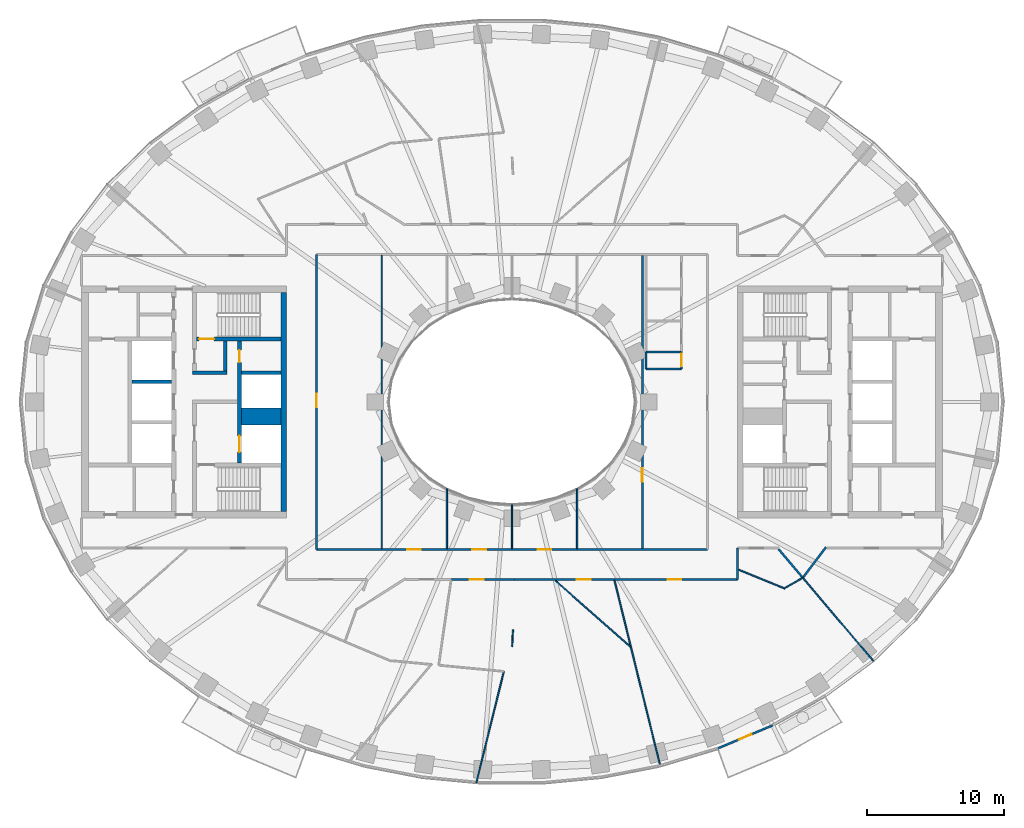
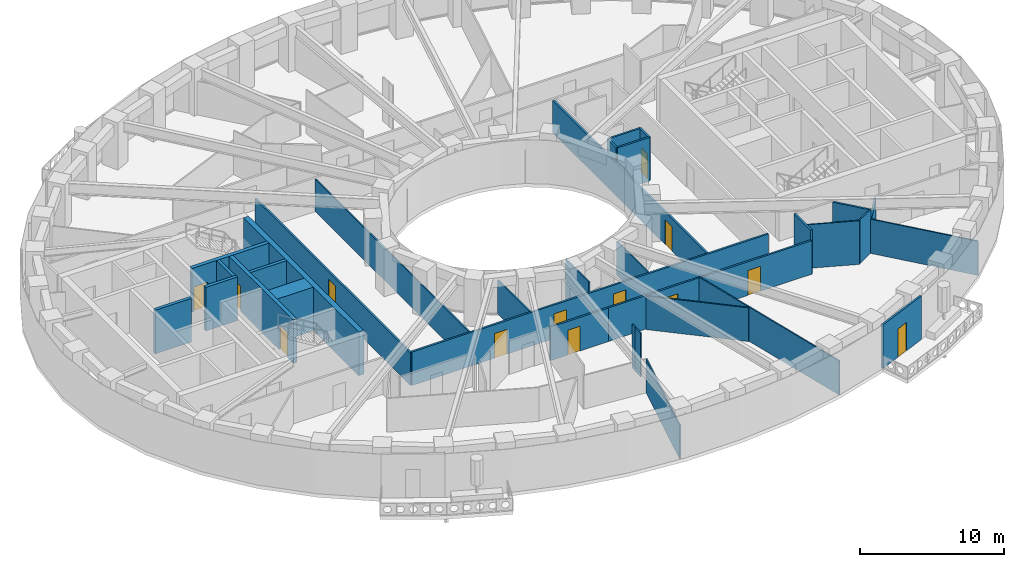
# One storey, part 4 of 15: 34 walls, 13 doors, 13 openings.
"""IFC4 building model written with IfcOpenShell, lengths in metres."""

from ifc_helpers import new_model, si_unit, direction, frame, frame_2d, origin, place, context, subcontext, project, spatial, rectangle, extrude, material, layer, layer_set, type_object, element, fill, save


model = new_model("IFC4")

# Units and contexts
model_context = context("Model", 3, precision=1e-05, world=origin(), true_north=direction((0.0, 1.0)))
body_context = subcontext(model_context, "Body", "Model", "MODEL_VIEW")
ifc_project = project(units=[si_unit("LENGTHUNIT", "METRE"), si_unit("AREAUNIT", "SQUARE_METRE"), si_unit("VOLUMEUNIT", "CUBIC_METRE"), si_unit("PLANEANGLEUNIT", "RADIAN"), si_unit("MASSUNIT", "GRAM", prefix="KILO")], contexts=[model_context])

# Site, building, storey
site_placement = place(None, origin())
site = spatial("IfcSite", under=ifc_project, at=site_placement, CompositionType="ELEMENT")
building_placement = place(site_placement, origin())
building = spatial("IfcBuilding", under=site, at=building_placement, Name="Noorbagh Ring Tower", CompositionType="ELEMENT")
storey_placement = place(building_placement, frame((0.0, 0.0, 92.0)))
storey = spatial("IfcBuildingStorey", under=building, at=storey_placement, Name="L20", CompositionType="ELEMENT", Elevation=92.0)

# Walls
ifc_material_1 = material(Name="Gypsum board on steel studs", Category="steel")
ifc_layer_1 = layer(ifc_material_1, 0.14990234375)
ifc_layer_set_1 = layer_set([ifc_layer_1], Name="Gypsum board on steel studs")
wall_type_1 = type_object("IfcWallType", Name="COMPARTMENT PARTITION 150 EI 60", PredefinedType="PARTITIONING", material=ifc_layer_set_1)
wall_1_placement = place(storey_placement, frame((9.800048828125, 2.404052734375, 0.0), z_axis=(0.0, 0.0, 1.0), x_axis=(0.0, 1.0, 0.0)))
element("IfcWall", 1, at=wall_1_placement, inside=storey, type_object=wall_type_1, Name="L20/wall/P61", PredefinedType="PARTITIONING", context=body_context, shape_type="SweptSolid", body=[
    extrude(rectangle(XDim=1.255859375, YDim=0.14990234375, at=frame_2d((0.6279296875, 0.0))), origin(), (0.0, 0.0, 1.0), 3.699951171875),
])
wall_2_placement = place(storey_placement, frame((9.800048828125, 3.659912109375, 0.0), z_axis=(0.0, 0.0, 1.0), x_axis=(1.0, 0.0, 0.0)))
element("IfcWall", 2, at=wall_2_placement, inside=storey, type_object=wall_type_1, Name="L20/wall/P63", PredefinedType="PARTITIONING", context=body_context, shape_type="SweptSolid", body=[
    extrude(rectangle(XDim=2.599853515625, YDim=0.14990234375, at=frame_2d((1.2998046875, 0.0))), origin(), (0.0, 0.0, 1.0), 3.699951171875),
])
wall_3_placement = place(storey_placement, frame((9.803955078125, 2.39990234375, 0.0), z_axis=(0.0, 0.0, 1.0), x_axis=(1.0, 0.0, 0.0)))
element("IfcWall", 3, at=wall_3_placement, inside=storey, type_object=wall_type_1, Name="L20/wall/P66", PredefinedType="PARTITIONING", context=body_context, shape_type="SweptSolid", body=[
    extrude(rectangle(XDim=2.595947265625, YDim=0.14990234375, at=frame_2d((1.2978515625, 0.0))), origin(), (0.0, 0.0, 1.0), 3.699951171875),
])

# Wall, opening, door
wall_4_placement = place(storey_placement, frame((12.39990234375, 2.39990234375, 0.0), z_axis=(0.0, 0.0, 1.0), x_axis=(0.0, 1.0, 0.0)))
wall_4 = element("IfcWall", 4, at=wall_4_placement, inside=storey, type_object=wall_type_1, Name="L20/wall/P67", PredefinedType="PARTITIONING", context=body_context, shape_type="SweptSolid", body=[
    extrude(rectangle(XDim=1.260009765625, YDim=0.14990234375, at=frame_2d((0.6298828125, 0.0))), origin(), (0.0, 0.0, 1.0), 3.699951171875),
])
opening_1_placement = place(wall_4_placement, frame((0.2099609375, 0.0, 0.0)))
opening_1 = element("IfcOpeningElement", 5, at=opening_1_placement, cuts=wall_4, Name="Opening D4", PredefinedType="OPENING", context=body_context, shape_type="SweptSolid", body=[
    extrude(rectangle(XDim=0.89990234375, YDim=2.10009765625, at=frame_2d((0.449951171875, 1.050048828125))), frame((0.0, 0.0849609375, 0.0), z_axis=(0.0, -1.0, 0.0), x_axis=(1.0, 0.0, 0.0)), (0.0, 0.0, 1.0), 0.169921875),
])
ifc_material_2 = material(Name="Timber, painted", Category="wood")
door_type_1 = type_object("IfcDoorType", Name="DOOR 900 X 2100 FD60", OperationType="SINGLE_SWING_LEFT", PredefinedType="DOOR", material=ifc_material_2)
door_1_placement = place(opening_1_placement, origin())
door_1 = element("IfcDoor", 6, at=door_1_placement, inside=storey, type_object=door_type_1, Name="L20-D05", OperationType="SINGLE_SWING_LEFT", OverallHeight=2.10009765625, OverallWidth=0.89990234375, PredefinedType="DOOR", context=body_context, shape_type="SweptSolid", body=[
    extrude(rectangle(XDim=0.89990234375, YDim=2.10009765625, at=frame_2d((0.449951171875, 1.050048828125))), frame((0.0, 0.02490234375, 0.0), z_axis=(0.0, -1.0, 0.0), x_axis=(1.0, 0.0, 0.0)), (0.0, 0.0, 1.0), 0.050048828125),
])
fill(opening_1, door_1)

# Walls
ifc_material_3 = material(Name="Concrete C70/85", Category="concrete")
ifc_layer_2 = layer(ifc_material_3, 1.25)
ifc_layer_set_2 = layer_set([ifc_layer_2], Name="Concrete C70/85")
wall_type_2 = type_object("IfcWallType", Name="CORE-WALL-1250-C70-85-EI120", PredefinedType="SHEAR", material=ifc_layer_set_2)
wall_5_placement = place(storey_placement, frame((-16.89990234375, -1.074951171875, 0.0), z_axis=(0.0, 0.0, 1.0), x_axis=(-1.0, 0.0, 0.0)))
element("IfcWall", 7, at=wall_5_placement, inside=storey, type_object=wall_type_2, Name="Core wall W", PredefinedType="SHEAR", context=body_context, shape_type="SweptSolid", body=[
    extrude(rectangle(XDim=2.900146484375, YDim=1.25, at=frame_2d((1.4501953125, 0.0))), origin(), (0.0, 0.0, 1.0), 3.699951171875),
])
ifc_material_4 = material(Name="Concrete C70/85", Category="concrete")
ifc_layer_3 = layer(ifc_material_4, 0.25)
ifc_layer_set_3 = layer_set([ifc_layer_3], Name="Concrete C70/85")
wall_type_3 = type_object("IfcWallType", Name="CORE-WALL-250-C70-85-EI120", PredefinedType="SHEAR", material=ifc_layer_set_3)
for number, where, z_axis, x_axis, name in (
    (8, (-16.89990234375, 2.125, 0.0), (0.0, 0.0, 1.0), (-1.0, 0.0, 0.0), "Core wall W"),
    (9, (-24.89990234375, 1.47509765625, 0.0), (0.0, 0.0, 1.0), (-1.0, 0.0, 0.0), "Core wall W"),
):
    element("IfcWall", number, at=place(storey_placement, frame(where, z_axis=z_axis, x_axis=x_axis)), inside=storey, type_object=wall_type_3, Name=name, PredefinedType="SHEAR", context=body_context, shape_type="SweptSolid", body=[
        extrude(rectangle(XDim=2.900146484375, YDim=0.25, at=frame_2d((1.4501953125, 0.0))), origin(), (0.0, 0.0, 1.0), 3.699951171875),
    ])
ifc_material_5 = material(Name="Concrete C70/85", Category="concrete")
ifc_layer_4 = layer(ifc_material_5, 0.25)
ifc_layer_set_4 = layer_set([ifc_layer_4], Name="Concrete C70/85")
wall_type_4 = type_object("IfcWallType", Name="CORE-WALL-250-C70-85-EI240", PredefinedType="SHEAR", material=ifc_layer_set_4)
wall_6_placement = place(storey_placement, frame((-20.85009765625, 2.125, 0.0), z_axis=(0.0, 0.0, 1.0), x_axis=(-1.0, 0.0, 0.0)))
element("IfcWall", 10, at=wall_6_placement, inside=storey, type_object=wall_type_4, Name="Core wall W", PredefinedType="SHEAR", context=body_context, shape_type="SweptSolid", body=[
    extrude(rectangle(XDim=2.52978515625, YDim=0.25, at=frame_2d((1.264892578125, 0.0))), origin(), (0.0, 0.0, 1.0), 3.699951171875),
])
wall_7_placement = place(storey_placement, frame((-20.97509765625, 2.25, 0.0), z_axis=(0.0, 0.0, 1.0), x_axis=(0.0, 1.0, 0.0)))
element("IfcWall", 11, at=wall_7_placement, inside=storey, type_object=wall_type_4, Name="Core wall W", PredefinedType="SHEAR", context=body_context, shape_type="SweptSolid", body=[
    extrude(rectangle(XDim=2.199951171875, YDim=0.25, at=frame_2d((1.10009765625, 0.0))), origin(), (0.0, 0.0, 1.0), 3.699951171875),
])

# Wall, openings, doors
ifc_material_6 = material(Name="Concrete C70/85", Category="concrete")
ifc_layer_5 = layer(ifc_material_6, 0.300048828125)
ifc_layer_set_5 = layer_set([ifc_layer_5], Name="Concrete C70/85")
wall_type_5 = type_object("IfcWallType", Name="CORE-WALL-300-C70-85-EI120", PredefinedType="SHEAR", material=ifc_layer_set_5)
wall_8_placement = place(storey_placement, frame((-19.949951171875, -4.449951171875, 0.0), z_axis=(0.0, 0.0, 1.0), x_axis=(0.0, 1.0, 0.0)))
wall_8 = element("IfcWall", 12, at=wall_8_placement, inside=storey, type_object=wall_type_5, Name="Core wall W", PredefinedType="SHEAR", context=body_context, shape_type="SweptSolid", body=[
    extrude(rectangle(XDim=8.89990234375, YDim=0.300048828125, at=frame_2d((4.449951171875, 0.0))), origin(), (0.0, 0.0, 1.0), 3.699951171875),
])
opening_2_placement = place(wall_8_placement, frame((0.77490234375, 0.0, 0.0)))
opening_2 = element("IfcOpeningElement", 13, at=opening_2_placement, cuts=wall_8, Name="Opening L20-CW01", PredefinedType="OPENING", context=body_context, shape_type="SweptSolid", body=[
    extrude(rectangle(XDim=1.199951171875, YDim=2.10009765625, at=frame_2d((0.60009765625, 1.050048828125))), frame((0.0, 0.16015625, 0.0), z_axis=(0.0, -1.0, 0.0), x_axis=(1.0, 0.0, 0.0)), (0.0, 0.0, 1.0), 0.320068359375),
])
opening_3_placement = place(wall_8_placement, frame((7.35009765625, 0.0, 0.0)))
opening_3 = element("IfcOpeningElement", 14, at=opening_3_placement, cuts=wall_8, Name="Opening L20-CW11", PredefinedType="OPENING", context=body_context, shape_type="SweptSolid", body=[
    extrude(rectangle(XDim=0.89990234375, YDim=2.10009765625, at=frame_2d((0.449951171875, 1.050048828125))), frame((0.0, 0.16015625, 0.0), z_axis=(0.0, -1.0, 0.0), x_axis=(1.0, 0.0, 0.0)), (0.0, 0.0, 1.0), 0.320068359375),
])
ifc_material_7 = material(Name="Steel door leaf", Category="steel")
door_type_2 = type_object("IfcDoorType", Name="CORE-DOOR-DROOM", OperationType="SINGLE_SWING_LEFT", PredefinedType="DOOR", material=ifc_material_7)
door_2_placement = place(opening_3_placement, origin())
door_2 = element("IfcDoor", 15, at=door_2_placement, inside=storey, type_object=door_type_2, Name="Core room door L20-CW11", OperationType="SINGLE_SWING_LEFT", OverallHeight=2.10009765625, OverallWidth=0.89990234375, PredefinedType="DOOR", context=body_context, shape_type="SweptSolid", body=[
    extrude(rectangle(XDim=0.89990234375, YDim=2.10009765625, at=frame_2d((0.449951171875, 1.050048828125))), frame((0.0, 0.02490234375, 0.0), z_axis=(0.0, -1.0, 0.0), x_axis=(1.0, 0.0, 0.0)), (0.0, 0.0, 1.0), 0.050048828125),
])
fill(opening_3, door_2)
ifc_material_8 = material(Name="Steel door leaf", Category="steel")
door_type_3 = type_object("IfcDoorType", Name="CORE-DOOR-LDW", OperationType="DOUBLE_DOOR_SLIDING", PredefinedType="DOOR", material=ifc_material_8)
door_3_placement = place(opening_2_placement, origin())
door_3 = element("IfcDoor", 16, at=door_3_placement, inside=storey, type_object=door_type_3, Name="Landing door FF1 L20-CW01", OperationType="DOUBLE_DOOR_SLIDING", OverallHeight=2.10009765625, OverallWidth=1.199951171875, PredefinedType="DOOR", context=body_context, shape_type="SweptSolid", body=[
    extrude(rectangle(XDim=1.199951171875, YDim=2.10009765625, at=frame_2d((0.60009765625, 1.050048828125))), frame((0.0, 0.02490234375, 0.0), z_axis=(0.0, -1.0, 0.0), x_axis=(1.0, 0.0, 0.0)), (0.0, 0.0, 1.0), 0.050048828125),
])
fill(opening_2, door_3)

# Wall, opening, door
ifc_material_9 = material(Name="Concrete C70/85", Category="concrete")
ifc_layer_6 = layer(ifc_material_9, 0.300048828125)
ifc_layer_set_6 = layer_set([ifc_layer_6], Name="Concrete C70/85")
wall_type_6 = type_object("IfcWallType", Name="CORE-WALL-300-C70-85-EI240", PredefinedType="SHEAR", material=ifc_layer_set_6)
wall_9_placement = place(storey_placement, frame((-16.89990234375, 4.60009765625, 0.0), z_axis=(0.0, 0.0, 1.0), x_axis=(-1.0, 0.0, 0.0)))
wall_9 = element("IfcWall", 17, at=wall_9_placement, inside=storey, type_object=wall_type_6, Name="Core wall W", PredefinedType="SHEAR", context=body_context, shape_type="SweptSolid", body=[
    extrude(rectangle(XDim=6.18017578125, YDim=0.300048828125, at=frame_2d((3.090087890625, 0.0))), origin(), (0.0, 0.0, 1.0), 3.699951171875),
])
opening_4_placement = place(wall_9_placement, frame((4.89990234375, 0.0, 0.0)))
opening_4 = element("IfcOpeningElement", 18, at=opening_4_placement, cuts=wall_9, Name="Opening L20-CW05", PredefinedType="OPENING", context=body_context, shape_type="SweptSolid", body=[
    extrude(rectangle(XDim=1.10009765625, YDim=2.10009765625, at=frame_2d((0.550048828125, 1.050048828125))), frame((0.0, 0.16015625, 0.0), z_axis=(0.0, -1.0, 0.0), x_axis=(1.0, 0.0, 0.0)), (0.0, 0.0, 1.0), 0.320068359375),
])
ifc_material_10 = material(Name="Steel door leaf", Category="steel")
door_type_4 = type_object("IfcDoorType", Name="CORE-DOOR-DSTAIR", OperationType="SINGLE_SWING_LEFT", PredefinedType="DOOR", material=ifc_material_10)
door_4_placement = place(opening_4_placement, origin())
door_4 = element("IfcDoor", 19, at=door_4_placement, inside=storey, type_object=door_type_4, Name="Stair door ST1 L20-CW05", OperationType="SINGLE_SWING_RIGHT", OverallHeight=2.10009765625, OverallWidth=1.10009765625, PredefinedType="DOOR", context=body_context, shape_type="SweptSolid", body=[
    extrude(rectangle(XDim=1.10009765625, YDim=2.10009765625, at=frame_2d((0.550048828125, 1.050048828125))), frame((0.0, 0.02490234375, 0.0), z_axis=(0.0, -1.0, 0.0), x_axis=(1.0, 0.0, 0.0)), (0.0, 0.0, 1.0), 0.050048828125),
])
fill(opening_4, door_4)

# Wall
ifc_material_11 = material(Name="Concrete C70/85", Category="concrete")
ifc_layer_7 = layer(ifc_material_11, 0.39990234375)
ifc_layer_set_7 = layer_set([ifc_layer_7], Name="Concrete C70/85")
wall_type_7 = type_object("IfcWallType", Name="CORE-WALL-400-C70-85-EI240", PredefinedType="SHEAR", material=ifc_layer_set_7)
wall_10_placement = place(storey_placement, frame((-16.699951171875, -8.0, 0.0), z_axis=(0.0, 0.0, 1.0), x_axis=(0.0, 1.0, 0.0)))
element("IfcWall", 20, at=wall_10_placement, inside=storey, type_object=wall_type_7, Name="Core wall W", PredefinedType="SHEAR", context=body_context, shape_type="SweptSolid", body=[
    extrude(rectangle(XDim=16.0, YDim=0.39990234375, at=frame_2d((8.0, 0.0))), origin(), (0.0, 0.0, 1.0), 3.699951171875),
])

# Wall, opening, door
ifc_material_12 = material(Name="Gypsum board on steel studs", Category="steel")
ifc_layer_8 = layer(ifc_material_12, 0.14990234375)
ifc_layer_set_8 = layer_set([ifc_layer_8], Name="Gypsum board on steel studs")
wall_type_8 = type_object("IfcWallType", Name="CORRIDOR PARTITION 150 EI 30", PredefinedType="PARTITIONING", material=ifc_layer_set_8)
wall_11_placement = place(storey_placement, frame((-14.300048828125, -10.800048828125, 0.0), z_axis=(0.0, 0.0, 1.0), x_axis=(0.0, 1.0, 0.0)))
wall_11 = element("IfcWall", 21, at=wall_11_placement, inside=storey, type_object=wall_type_8, Name="L20/wall/P16", PredefinedType="PARTITIONING", context=body_context, shape_type="SweptSolid", body=[
    extrude(rectangle(XDim=21.60009765625, YDim=0.14990234375, at=frame_2d((10.800048828125, 0.0))), origin(), (0.0, 0.0, 1.0), 2.75),
])
opening_5_placement = place(wall_11_placement, frame((10.39990234375, 0.0, 0.0)))
opening_5 = element("IfcOpeningElement", 22, at=opening_5_placement, cuts=wall_11, Name="Opening D1", PredefinedType="OPENING", context=body_context, shape_type="SweptSolid", body=[
    extrude(rectangle(XDim=1.0, YDim=2.10009765625, at=frame_2d((0.5, 1.050048828125))), frame((0.0, 0.0849609375, 0.0), z_axis=(0.0, -1.0, 0.0), x_axis=(1.0, 0.0, 0.0)), (0.0, 0.0, 1.0), 0.169921875),
])
ifc_material_13 = material(Name="Timber, painted", Category="wood")
door_type_5 = type_object("IfcDoorType", Name="DOOR 1000 X 2100 FD30", OperationType="SINGLE_SWING_LEFT", PredefinedType="DOOR", material=ifc_material_13)
door_5_placement = place(opening_5_placement, origin())
door_5 = element("IfcDoor", 23, at=door_5_placement, inside=storey, type_object=door_type_5, Name="L20-D26", OperationType="SINGLE_SWING_RIGHT", OverallHeight=2.10009765625, OverallWidth=1.0, PredefinedType="DOOR", context=body_context, shape_type="SweptSolid", body=[
    extrude(rectangle(XDim=1.0, YDim=2.10009765625, at=frame_2d((0.5, 1.050048828125))), frame((0.0, 0.02490234375, 0.0), z_axis=(0.0, -1.0, 0.0), x_axis=(1.0, 0.0, 0.0)), (0.0, 0.0, 1.0), 0.050048828125),
])
fill(opening_5, door_5)

# Wall, openings, doors
wall_12_placement = place(storey_placement, frame((-14.300048828125, -10.800048828125, 0.0), z_axis=(0.0, 0.0, 1.0), x_axis=(1.0, 0.0, 0.0)))
wall_12 = element("IfcWall", 24, at=wall_12_placement, inside=storey, type_object=wall_type_8, Name="L20/wall/P17", PredefinedType="PARTITIONING", context=body_context, shape_type="SweptSolid", body=[
    extrude(rectangle(XDim=28.60009765625, YDim=0.14990234375, at=frame_2d((14.300048828125, 0.0))), origin(), (0.0, 0.0, 1.0), 2.85009765625),
])
opening_6_placement = place(wall_12_placement, frame((6.633056640625, 0.0, 0.0)))
opening_6 = element("IfcOpeningElement", 25, at=opening_6_placement, cuts=wall_12, Name="Opening D1", PredefinedType="OPENING", context=body_context, shape_type="SweptSolid", body=[
    extrude(rectangle(XDim=1.0, YDim=2.10009765625, at=frame_2d((0.5, 1.050048828125))), frame((0.0, 0.0849609375, 0.0), z_axis=(0.0, -1.0, 0.0), x_axis=(1.0, 0.0, 0.0)), (0.0, 0.0, 1.0), 0.169921875),
])
opening_7_placement = place(wall_12_placement, frame((11.39990234375, 0.0, 0.0)))
opening_7 = element("IfcOpeningElement", 26, at=opening_7_placement, cuts=wall_12, Name="Opening D1", PredefinedType="OPENING", context=body_context, shape_type="SweptSolid", body=[
    extrude(rectangle(XDim=1.0, YDim=2.10009765625, at=frame_2d((0.5, 1.050048828125))), frame((0.0, 0.0849609375, 0.0), z_axis=(0.0, -1.0, 0.0), x_axis=(1.0, 0.0, 0.0)), (0.0, 0.0, 1.0), 0.169921875),
])
opening_8_placement = place(wall_12_placement, frame((16.1669921875, 0.0, 0.0)))
opening_8 = element("IfcOpeningElement", 27, at=opening_8_placement, cuts=wall_12, Name="Opening D1", PredefinedType="OPENING", context=body_context, shape_type="SweptSolid", body=[
    extrude(rectangle(XDim=1.0, YDim=2.10009765625, at=frame_2d((0.5, 1.050048828125))), frame((0.0, 0.0849609375, 0.0), z_axis=(0.0, -1.0, 0.0), x_axis=(1.0, 0.0, 0.0)), (0.0, 0.0, 1.0), 0.169921875),
])
door_6_placement = place(opening_6_placement, origin())
door_6 = element("IfcDoor", 28, at=door_6_placement, inside=storey, type_object=door_type_5, Name="L20-D27", OperationType="SINGLE_SWING_LEFT", OverallHeight=2.10009765625, OverallWidth=1.0, PredefinedType="DOOR", context=body_context, shape_type="SweptSolid", body=[
    extrude(rectangle(XDim=1.0, YDim=2.10009765625, at=frame_2d((0.5, 1.050048828125))), frame((0.0, 0.02490234375, 0.0), z_axis=(0.0, -1.0, 0.0), x_axis=(1.0, 0.0, 0.0)), (0.0, 0.0, 1.0), 0.050048828125),
])
fill(opening_6, door_6)
door_7_placement = place(opening_7_placement, origin())
door_7 = element("IfcDoor", 29, at=door_7_placement, inside=storey, type_object=door_type_5, Name="L20-D28", OperationType="SINGLE_SWING_RIGHT", OverallHeight=2.10009765625, OverallWidth=1.0, PredefinedType="DOOR", context=body_context, shape_type="SweptSolid", body=[
    extrude(rectangle(XDim=1.0, YDim=2.10009765625, at=frame_2d((0.5, 1.050048828125))), frame((0.0, 0.02490234375, 0.0), z_axis=(0.0, -1.0, 0.0), x_axis=(1.0, 0.0, 0.0)), (0.0, 0.0, 1.0), 0.050048828125),
])
fill(opening_7, door_7)
door_8_placement = place(opening_8_placement, origin())
door_8 = element("IfcDoor", 30, at=door_8_placement, inside=storey, type_object=door_type_5, Name="L20-D30", OperationType="SINGLE_SWING_RIGHT", OverallHeight=2.10009765625, OverallWidth=1.0, PredefinedType="DOOR", context=body_context, shape_type="SweptSolid", body=[
    extrude(rectangle(XDim=1.0, YDim=2.10009765625, at=frame_2d((0.5, 1.050048828125))), frame((0.0, 0.02490234375, 0.0), z_axis=(0.0, -1.0, 0.0), x_axis=(1.0, 0.0, 0.0)), (0.0, 0.0, 1.0), 0.050048828125),
])
fill(opening_8, door_8)

# Wall, opening, door
wall_13_placement = place(storey_placement, frame((-4.458984375, -13.0, 0.0), z_axis=(0.0, 0.0, 1.0), x_axis=(1.0, 0.0, 0.0)))
wall_13 = element("IfcWall", 31, at=wall_13_placement, inside=storey, type_object=wall_type_8, Name="L20/wall/P40", PredefinedType="PARTITIONING", context=body_context, shape_type="SweptSolid", body=[
    extrude(rectangle(XDim=4.6279296875, YDim=0.14990234375, at=frame_2d((2.31396484375, 0.0))), origin(), (0.0, 0.0, 1.0), 2.85009765625),
])
opening_9_placement = place(wall_13_placement, frame((1.3798828125, 0.0, 0.0)))
opening_9 = element("IfcOpeningElement", 32, at=opening_9_placement, cuts=wall_13, Name="Opening D1", PredefinedType="OPENING", context=body_context, shape_type="SweptSolid", body=[
    extrude(rectangle(XDim=1.0, YDim=2.10009765625, at=frame_2d((0.5, 1.050048828125))), frame((0.0, 0.0849609375, 0.0), z_axis=(0.0, -1.0, 0.0), x_axis=(1.0, 0.0, 0.0)), (0.0, 0.0, 1.0), 0.169921875),
])
door_9_placement = place(opening_9_placement, origin())
door_9 = element("IfcDoor", 33, at=door_9_placement, inside=storey, type_object=door_type_5, Name="L20-D14", OperationType="SINGLE_SWING_RIGHT", OverallHeight=2.10009765625, OverallWidth=1.0, PredefinedType="DOOR", context=body_context, shape_type="SweptSolid", body=[
    extrude(rectangle(XDim=1.0, YDim=2.10009765625, at=frame_2d((0.5, 1.050048828125))), frame((0.0, 0.02490234375, 0.0), z_axis=(0.0, -1.0, 0.0), x_axis=(1.0, 0.0, 0.0)), (0.0, 0.0, 1.0), 0.050048828125),
])
fill(opening_9, door_9)

wall_14_placement = place(storey_placement, frame((0.1630859375, -13.0, 0.0), z_axis=(0.0, 0.0, 1.0), x_axis=(1.0, 0.0, 0.0)))
wall_14 = element("IfcWall", 34, at=wall_14_placement, inside=storey, type_object=wall_type_8, Name="L20/wall/P50", PredefinedType="PARTITIONING", context=body_context, shape_type="SweptSolid", body=[
    extrude(rectangle(XDim=7.31982421875, YDim=0.14990234375, at=frame_2d((3.659912109375, 0.0))), origin(), (0.0, 0.0, 1.0), 2.85009765625),
])
opening_10_placement = place(wall_14_placement, frame((4.5859375, 0.0, 0.0)))
opening_10 = element("IfcOpeningElement", 35, at=opening_10_placement, cuts=wall_14, Name="Opening D1", PredefinedType="OPENING", context=body_context, shape_type="SweptSolid", body=[
    extrude(rectangle(XDim=1.0, YDim=2.10009765625, at=frame_2d((0.5, 1.050048828125))), frame((0.0, 0.0849609375, 0.0), z_axis=(0.0, -1.0, 0.0), x_axis=(1.0, 0.0, 0.0)), (0.0, 0.0, 1.0), 0.169921875),
])
door_10_placement = place(opening_10_placement, origin())
door_10 = element("IfcDoor", 36, at=door_10_placement, inside=storey, type_object=door_type_5, Name="L20-D16", OperationType="SINGLE_SWING_RIGHT", OverallHeight=2.10009765625, OverallWidth=1.0, PredefinedType="DOOR", context=body_context, shape_type="SweptSolid", body=[
    extrude(rectangle(XDim=1.0, YDim=2.10009765625, at=frame_2d((0.5, 1.050048828125))), frame((0.0, 0.02490234375, 0.0), z_axis=(0.0, -1.0, 0.0), x_axis=(1.0, 0.0, 0.0)), (0.0, 0.0, 1.0), 0.050048828125),
])
fill(opening_10, door_10)

wall_15_placement = place(storey_placement, frame((7.4990234375, -13.0, 0.0), z_axis=(0.0, 0.0, 1.0), x_axis=(1.0, 0.0, 0.0)))
wall_15 = element("IfcWall", 37, at=wall_15_placement, inside=storey, type_object=wall_type_8, Name="L20/wall/P58", PredefinedType="PARTITIONING", context=body_context, shape_type="SweptSolid", body=[
    extrude(rectangle(XDim=9.0009765625, YDim=0.14990234375, at=frame_2d((4.50048828125, 0.0))), origin(), (0.0, 0.0, 1.0), 2.85009765625),
])
opening_11_placement = place(wall_15_placement, frame((3.884033203125, 0.0, 0.0)))
opening_11 = element("IfcOpeningElement", 38, at=opening_11_placement, cuts=wall_15, Name="Opening D1", PredefinedType="OPENING", context=body_context, shape_type="SweptSolid", body=[
    extrude(rectangle(XDim=1.0, YDim=2.10009765625, at=frame_2d((0.5, 1.050048828125))), frame((0.0, 0.0849609375, 0.0), z_axis=(0.0, -1.0, 0.0), x_axis=(1.0, 0.0, 0.0)), (0.0, 0.0, 1.0), 0.169921875),
])
door_11_placement = place(opening_11_placement, origin())
door_11 = element("IfcDoor", 39, at=door_11_placement, inside=storey, type_object=door_type_5, Name="L20-D18", OperationType="SINGLE_SWING_RIGHT", OverallHeight=2.10009765625, OverallWidth=1.0, PredefinedType="DOOR", context=body_context, shape_type="SweptSolid", body=[
    extrude(rectangle(XDim=1.0, YDim=2.10009765625, at=frame_2d((0.5, 1.050048828125))), frame((0.0, 0.02490234375, 0.0), z_axis=(0.0, -1.0, 0.0), x_axis=(1.0, 0.0, 0.0)), (0.0, 0.0, 1.0), 0.050048828125),
])
fill(opening_11, door_11)

wall_16_placement = place(storey_placement, frame((9.532958984375, -10.72509765625, 0.0), z_axis=(0.0, 0.0, 1.0), x_axis=(0.0, 1.0, 0.0)))
wall_16 = element("IfcWall", 40, at=wall_16_placement, inside=storey, type_object=wall_type_8, Name="L20/wall/P60", PredefinedType="PARTITIONING", context=body_context, shape_type="SweptSolid", body=[
    extrude(rectangle(XDim=21.4501953125, YDim=0.14990234375, at=frame_2d((10.72509765625, 0.0))), origin(), (0.0, 0.0, 1.0), 2.75),
])
opening_12_placement = place(wall_16_placement, frame((4.875, 0.0, 0.0)))
opening_12 = element("IfcOpeningElement", 41, at=opening_12_placement, cuts=wall_16, Name="Opening D1", PredefinedType="OPENING", context=body_context, shape_type="SweptSolid", body=[
    extrude(rectangle(XDim=1.0, YDim=2.10009765625, at=frame_2d((0.5, 1.050048828125))), frame((0.0, 0.0849609375, 0.0), z_axis=(0.0, -1.0, 0.0), x_axis=(1.0, 0.0, 0.0)), (0.0, 0.0, 1.0), 0.169921875),
])
door_12_placement = place(opening_12_placement, origin())
door_12 = element("IfcDoor", 42, at=door_12_placement, inside=storey, type_object=door_type_5, Name="L20-D32", OperationType="SINGLE_SWING_RIGHT", OverallHeight=2.10009765625, OverallWidth=1.0, PredefinedType="DOOR", context=body_context, shape_type="SweptSolid", body=[
    extrude(rectangle(XDim=1.0, YDim=2.10009765625, at=frame_2d((0.5, 1.050048828125))), frame((0.0, 0.02490234375, 0.0), z_axis=(0.0, -1.0, 0.0), x_axis=(1.0, 0.0, 0.0)), (0.0, 0.0, 1.0), 0.050048828125),
])
fill(opening_12, door_12)

# Walls
wall_17_placement = place(storey_placement, frame((16.5, -13.0, 0.0), z_axis=(0.0, 0.0, 1.0), x_axis=(0.0, 1.0, 0.0)))
element("IfcWall", 43, at=wall_17_placement, inside=storey, type_object=wall_type_8, Name="L20/wall/P70", PredefinedType="PARTITIONING", context=body_context, shape_type="SweptSolid", body=[
    extrude(rectangle(XDim=2.300048828125, YDim=0.14990234375, at=frame_2d((1.14990234375, 0.0))), origin(), (0.0, 0.0, 1.0), 3.699951171875),
])
wall_18_placement = place(storey_placement, frame((19.510986328125, -10.778076171875, 0.0), z_axis=(0.0, 0.0, 1.0), x_axis=(0.64641426768, -0.762986628021, 0.0)))
element("IfcWall", 44, at=wall_18_placement, inside=storey, type_object=wall_type_8, Name="L20/wall/P76", PredefinedType="PARTITIONING", context=body_context, shape_type="SweptSolid", body=[
    extrude(rectangle(XDim=2.735107421875, YDim=0.14990234375, at=frame_2d((1.36767578125, 0.0))), origin(), (0.0, 0.0, 1.0), 3.699951171875),
])
wall_19_placement = place(storey_placement, frame((21.279052734375, -12.864990234375, 0.0), z_axis=(0.0, 0.0, 1.0), x_axis=(0.603433696796, 0.797413176196, 0.0)))
element("IfcWall", 45, at=wall_19_placement, inside=storey, type_object=wall_type_8, Name="L20/wall/P80", PredefinedType="PARTITIONING", context=body_context, shape_type="SweptSolid", body=[
    extrude(rectangle(XDim=2.805419921875, YDim=0.14990234375, at=frame_2d((1.40283203125, 0.0))), origin(), (0.0, 0.0, 1.0), 2.75),
])

# Wall, opening, door
ifc_material_14 = material(Name="Insulated aluminium clad panel", Category="aluminium")
ifc_layer_9 = layer(ifc_material_14, 0.14990234375)
ifc_layer_set_9 = layer_set([ifc_layer_9], Name="Insulated aluminium clad panel")
wall_type_9 = type_object("IfcWallType", Name="ENV-WALL-DOOR", PredefinedType="STANDARD", material=ifc_layer_set_9)
wall_20_placement = place(storey_placement, frame((15.017822265625, -25.368896484375, 0.0), z_axis=(0.0, 0.0, 1.0), x_axis=(0.921816985161, 0.387625393736, 0.0)))
wall_20 = element("IfcWall", 46, at=wall_20_placement, inside=storey, type_object=wall_type_9, Name="Balcony door wall chord 39", PredefinedType="STANDARD", context=body_context, shape_type="SweptSolid", body=[
    extrude(rectangle(XDim=4.42578125, YDim=0.14990234375, at=frame_2d((2.212890625, 0.0))), origin(), (0.0, 0.0, 1.0), 3.699951171875),
])
opening_13_placement = place(wall_20_placement, frame((1.712890625, 0.0, 0.0)))
opening_13 = element("IfcOpeningElement", 47, at=opening_13_placement, cuts=wall_20, Name="Opening D-BL", PredefinedType="OPENING", context=body_context, shape_type="SweptSolid", body=[
    extrude(rectangle(XDim=1.0, YDim=2.39990234375, at=frame_2d((0.5, 1.199951171875))), frame((0.0, 0.0849609375, 0.0), z_axis=(0.0, -1.0, 0.0), x_axis=(1.0, 0.0, 0.0)), (0.0, 0.0, 1.0), 0.169921875),
])
ifc_material_15 = material(Name="Aluminium and glass", Category="aluminium")
door_type_6 = type_object("IfcDoorType", Name="ENV-DOOR-BALCONY", OperationType="SINGLE_SWING_LEFT", PredefinedType="DOOR", material=ifc_material_15)
door_13_placement = place(opening_13_placement, origin())
door_13 = element("IfcDoor", 48, at=door_13_placement, inside=storey, type_object=door_type_6, Name="Balcony door chord 39", OperationType="SINGLE_SWING_LEFT", OverallHeight=2.39990234375, OverallWidth=1.0, PredefinedType="DOOR", context=body_context, shape_type="SweptSolid", body=[
    extrude(rectangle(XDim=1.0, YDim=2.39990234375, at=frame_2d((0.5, 1.199951171875))), frame((0.0, 0.02490234375, 0.0), z_axis=(0.0, -1.0, 0.0), x_axis=(1.0, 0.0, 0.0)), (0.0, 0.0, 1.0), 0.050048828125),
])
fill(opening_13, door_13)

# Walls
ifc_material_16 = material(Name="Gypsum board on steel studs", Category="steel")
ifc_layer_10 = layer(ifc_material_16, 0.10009765625)
ifc_layer_set_10 = layer_set([ifc_layer_10], Name="Gypsum board on steel studs")
wall_type_10 = type_object("IfcWallType", Name="PARTITION 100 GYPSUM", PredefinedType="PARTITIONING", material=ifc_layer_set_10)
wall_21_placement = place(storey_placement, frame((-9.532958984375, -10.72509765625, 0.0), z_axis=(0.0, 0.0, 1.0), x_axis=(0.0, 1.0, 0.0)))
element("IfcWall", 49, at=wall_21_placement, inside=storey, type_object=wall_type_10, Name="L20/wall/P29", PredefinedType="PARTITIONING", context=body_context, shape_type="SweptSolid", body=[
    extrude(rectangle(XDim=21.4501953125, YDim=0.10009765625, at=frame_2d((10.72509765625, 0.0))), origin(), (0.0, 0.0, 1.0), 2.75),
])
wall_22_placement = place(storey_placement, frame((-4.76708984375, -10.72509765625, 0.0), z_axis=(0.0, 0.0, 1.0), x_axis=(0.0, 1.0, 0.0)))
element("IfcWall", 50, at=wall_22_placement, inside=storey, type_object=wall_type_10, Name="L20/wall/P38", PredefinedType="PARTITIONING", context=body_context, shape_type="SweptSolid", body=[
    extrude(rectangle(XDim=4.362060546875, YDim=0.10009765625, at=frame_2d((2.18115234375, 0.0))), origin(), (0.0, 0.0, 1.0), 2.89990234375),
])
wall_23_placement = place(storey_placement, frame((-2.60888671875, -27.85791015625, 0.0), z_axis=(0.0, 0.0, 1.0), x_axis=(0.239677840558, 0.970852477334, 0.0)))
element("IfcWall", 51, at=wall_23_placement, inside=storey, type_object=wall_type_10, Name="L20/wall/P42", PredefinedType="PARTITIONING", context=body_context, shape_type="SweptSolid", body=[
    extrude(rectangle(XDim=8.38525390625, YDim=0.10009765625, at=frame_2d((4.192626953125, 0.0))), origin(), (0.0, 0.0, 1.0), 2.85009765625),
])
wall_24_placement = place(storey_placement, frame((0.0, -10.72509765625, 0.0), z_axis=(0.0, 0.0, 1.0), x_axis=(0.0, 1.0, 0.0)))
element("IfcWall", 52, at=wall_24_placement, inside=storey, type_object=wall_type_10, Name="L20/wall/P44", PredefinedType="PARTITIONING", context=body_context, shape_type="SweptSolid", body=[
    extrude(rectangle(XDim=3.22119140625, YDim=0.10009765625, at=frame_2d((1.610595703125, 0.0))), origin(), (0.0, 0.0, 1.0), 3.699951171875),
])
wall_25_placement = place(storey_placement, frame((0.010986328125, -17.89306640625, 0.0), z_axis=(0.0, 0.0, 1.0), x_axis=(0.047210979752, 0.998884940016, 0.0)))
element("IfcWall", 53, at=wall_25_placement, inside=storey, type_object=wall_type_10, Name="L20/wall/P46", PredefinedType="PARTITIONING", context=body_context, shape_type="SweptSolid", body=[
    extrude(rectangle(XDim=0.7861328125, YDim=0.10009765625, at=frame_2d((0.39306640625, 0.0))), origin(), (0.0, 0.0, 1.0), 3.699951171875),
])
wall_26_placement = place(storey_placement, frame((0.049072265625, -17.0810546875, 0.0), z_axis=(0.0, 0.0, 1.0), x_axis=(0.047263912187, 0.998882436829, 0.0)))
element("IfcWall", 54, at=wall_26_placement, inside=storey, type_object=wall_type_10, Name="L20/wall/P48", PredefinedType="PARTITIONING", context=body_context, shape_type="SweptSolid", body=[
    extrude(rectangle(XDim=0.423583984375, YDim=0.10009765625, at=frame_2d((0.2119140625, 0.0))), origin(), (0.0, 0.0, 1.0), 3.699951171875),
])
wall_27_placement = place(storey_placement, frame((3.18701171875, -13.077880859375, 0.0), z_axis=(0.0, 0.0, 1.0), x_axis=(0.749027274438, -0.662539162728, 0.0)))
element("IfcWall", 55, at=wall_27_placement, inside=storey, type_object=wall_type_10, Name="L20/wall/P52", PredefinedType="PARTITIONING", context=body_context, shape_type="SweptSolid", body=[
    extrude(rectangle(XDim=7.282958984375, YDim=0.10009765625, at=frame_2d((3.6416015625, 0.0))), origin(), (0.0, 0.0, 1.0), 2.85009765625),
])
wall_28_placement = place(storey_placement, frame((4.76708984375, -10.72509765625, 0.0), z_axis=(0.0, 0.0, 1.0), x_axis=(0.0, 1.0, 0.0)))
element("IfcWall", 56, at=wall_28_placement, inside=storey, type_object=wall_type_10, Name="L20/wall/P54", PredefinedType="PARTITIONING", context=body_context, shape_type="SweptSolid", body=[
    extrude(rectangle(XDim=4.362060546875, YDim=0.10009765625, at=frame_2d((2.18115234375, 0.0))), origin(), (0.0, 0.0, 1.0), 2.85009765625),
])
wall_29_placement = place(storey_placement, frame((7.48388671875, -13.0, 0.0), z_axis=(0.0, 0.0, 1.0), x_axis=(0.239551123524, -0.97088375165, 0.0)))
element("IfcWall", 57, at=wall_29_placement, inside=storey, type_object=wall_type_10, Name="L20/wall/P57", PredefinedType="PARTITIONING", context=body_context, shape_type="SweptSolid", body=[
    extrude(rectangle(XDim=14.05615234375, YDim=0.10009765625, at=frame_2d((7.028076171875, 0.0))), origin(), (0.0, 0.0, 1.0), 2.89990234375),
])
wall_30_placement = place(storey_placement, frame((16.5791015625, -12.27099609375, 0.0), z_axis=(0.0, 0.0, 1.0), x_axis=(0.925550138862, -0.378625065801, 0.0)))
element("IfcWall", 58, at=wall_30_placement, inside=storey, type_object=wall_type_10, Name="L20/wall/P74", PredefinedType="PARTITIONING", context=body_context, shape_type="SweptSolid", body=[
    extrude(rectangle(XDim=3.665771484375, YDim=0.10009765625, at=frame_2d((1.8330078125, 0.0))), origin(), (0.0, 0.0, 1.0), 3.699951171875),
])
wall_31_placement = place(storey_placement, frame((19.968994140625, -13.60400390625, 0.0), z_axis=(0.0, 0.0, 1.0), x_axis=(0.870976686736, 0.491324344158, 0.0)))
element("IfcWall", 59, at=wall_31_placement, inside=storey, type_object=wall_type_10, Name="L20/wall/P78", PredefinedType="PARTITIONING", context=body_context, shape_type="SweptSolid", body=[
    extrude(rectangle(XDim=1.504150390625, YDim=0.10009765625, at=frame_2d((0.751953125, 0.0))), origin(), (0.0, 0.0, 1.0), 3.699951171875),
])
wall_32_placement = place(storey_placement, frame((21.279052734375, -12.864990234375, 0.0), z_axis=(0.0, 0.0, 1.0), x_axis=(0.646395355102, -0.763002650652, 0.0)))
element("IfcWall", 60, at=wall_32_placement, inside=storey, type_object=wall_type_10, Name="L20/wall/P81", PredefinedType="PARTITIONING", context=body_context, shape_type="SweptSolid", body=[
    extrude(rectangle(XDim=7.968505859375, YDim=0.10009765625, at=frame_2d((3.984375, 0.0))), origin(), (0.0, 0.0, 1.0), 2.89990234375),
])

save(model, "model.ifc")
